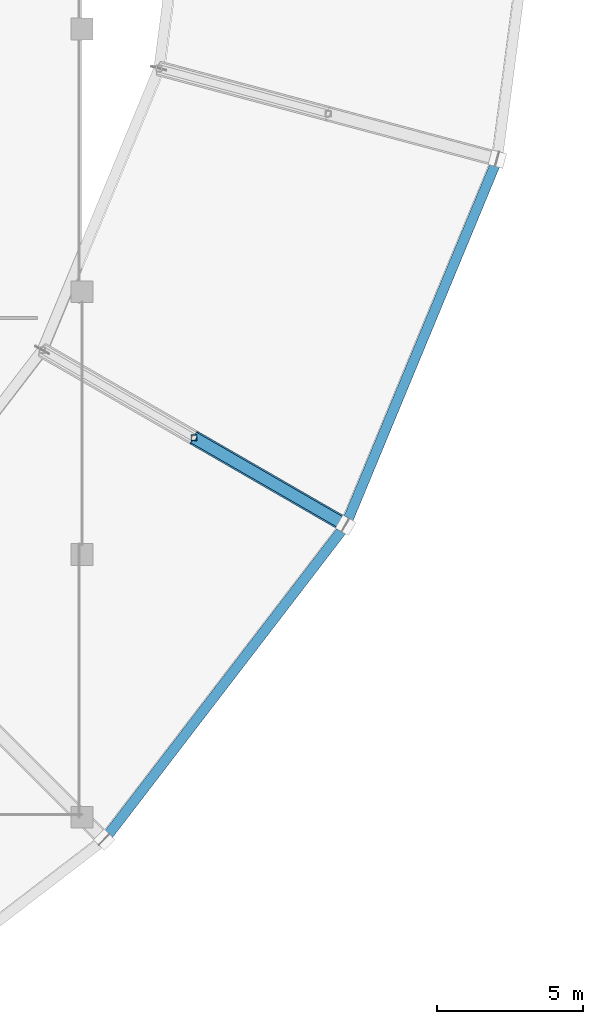
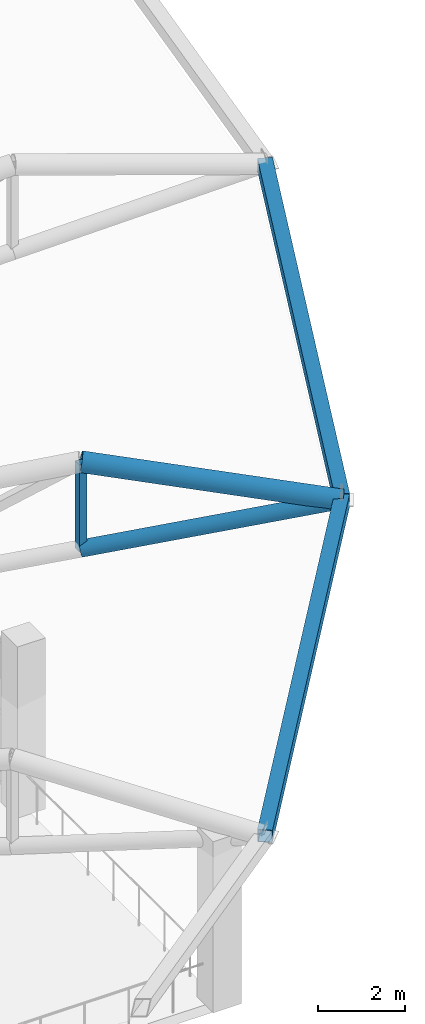
# One storey, part 88 of 167: 5 members.
"""IFC4 building model written with IfcOpenShell, lengths in metres."""

from ifc_helpers import new_model, si_unit, direction, frame, origin, origin_2d, place, context, subcontext, project, spatial, hollow_rectangle, hollow_circle, extrude, material, material_profile, profile_set, type_object, element, save


model = new_model("IFC4")

# Units and contexts
model_context = context("Model", 3, precision=1e-05, world=origin(), true_north=direction((0.0, 1.0)))
body_context = subcontext(model_context, "Body", "Model", "MODEL_VIEW")
ifc_project = project(units=[si_unit("LENGTHUNIT", "METRE"), si_unit("AREAUNIT", "SQUARE_METRE"), si_unit("VOLUMEUNIT", "CUBIC_METRE"), si_unit("PLANEANGLEUNIT", "RADIAN"), si_unit("MASSUNIT", "GRAM", prefix="KILO")], contexts=[model_context])

# Site, building, storey
site_placement = place(None, origin())
site = spatial("IfcSite", under=ifc_project, at=site_placement, CompositionType="ELEMENT")
building_placement = place(site_placement, origin())
building = spatial("IfcBuilding", under=site, at=building_placement, Name="Dornveld Trade and Exhibition Forum", CompositionType="ELEMENT")
storey_placement = place(building_placement, frame((0.0, 0.0, 16.800048828125)))
storey = spatial("IfcBuildingStorey", under=building, at=storey_placement, Name="L03", CompositionType="ELEMENT", Elevation=16.800048828125)

# Members
ifc_material_1 = material(Name="Steel S355J2", Category="steel")
ifc_material_profile_1 = material_profile(ifc_material_1, hollow_circle(Radius=0.203125, WallThickness=0.02001953125, at=origin_2d()), Name="CHS 406.4x20")
ifc_profile_set_1 = profile_set([ifc_material_profile_1], Name="Steel S355J2")
member_type_1 = type_object("IfcMemberType", Name="MEM-DISC-BC", PredefinedType="CHORD", material=ifc_profile_set_1)
member_1_placement = place(storey_placement, frame((156.837158203125, 58.0, 3.437744140625), z_axis=(0.844525303504, -0.487596998988, 0.221418559111), x_axis=(0.500007758305, 0.866020924479, 0.0)))
element("IfcMember", 1, at=member_1_placement, inside=storey, type_object=member_type_1, Name="Roof disc radial R23 conical bottom chord 4", PredefinedType="CHORD", context=body_context, shape_type="SweptSolid", body=[
    extrude(hollow_circle(Radius=0.203125, WallThickness=0.02001953125, at=origin_2d()), origin(), (0.0, 0.0, 1.0), 6.152587890625),
])
ifc_material_2 = material(Name="Steel S355J2", Category="steel")
ifc_material_profile_2 = material_profile(ifc_material_2, hollow_rectangle(XDim=0.35009765625, YDim=0.35009765625, WallThickness=0.01611328125, at=origin_2d()), Name="SHS 350x350x16")
ifc_profile_set_2 = profile_set([ifc_material_profile_2], Name="Steel S355J2")
member_type_2 = type_object("IfcMemberType", Name="MEM-DISC-RING", PredefinedType="CHORD", material=ifc_profile_set_2)
for number, where, z_axis, x_axis, name in (
    (2, (153.76953125, 44.23046875, 4.800048828125), (0.608757714995, 0.79335619014, 0.0), (-0.79335619014, 0.608757714995, 0.0), "Roof disc ring 4 chord 22"),
    (3, (162.033203125, 55.0, 4.800048828125), (0.382681118981, 0.923880490743, 0.0), (-0.923880490743, 0.382681118981, 0.0), "Roof disc ring 4 chord 23"),
):
    element("IfcMember", number, at=place(storey_placement, frame(where, z_axis=z_axis, x_axis=x_axis)), inside=storey, type_object=member_type_2, Name=name, PredefinedType="CHORD", context=body_context, shape_type="SweptSolid", body=[
        extrude(hollow_rectangle(XDim=0.35009765625, YDim=0.35009765625, WallThickness=0.01611328125, at=origin_2d()), origin(), (0.0, 0.0, 1.0), 13.57470703125),
    ])
ifc_material_3 = material(Name="Steel S355J2", Category="steel")
ifc_material_profile_3 = material_profile(ifc_material_3, hollow_rectangle(XDim=0.199951171875, YDim=0.199951171875, WallThickness=0.010009765625, at=origin_2d()), Name="SHS 200x200x10")
ifc_profile_set_3 = profile_set([ifc_material_profile_3], Name="Steel S355J2")
member_type_3 = type_object("IfcMemberType", Name="MEM-DISC-STR", PredefinedType="STRUT", material=ifc_profile_set_3)
member_2_placement = place(storey_placement, frame((156.837158203125, 58.0, 3.437744140625), z_axis=(0.0, 0.0, 1.0), x_axis=(1.0, 0.0, 0.0)))
element("IfcMember", 4, at=member_2_placement, inside=storey, type_object=member_type_3, Name="Roof disc radial R23 strut 4", PredefinedType="STRUT", context=body_context, shape_type="SweptSolid", body=[
    extrude(hollow_rectangle(XDim=0.199951171875, YDim=0.199951171875, WallThickness=0.010009765625, at=origin_2d()), origin(), (0.0, 0.0, 1.0), 2.437255859375),
])
ifc_material_4 = material(Name="Steel S355J2", Category="steel")
ifc_material_profile_4 = material_profile(ifc_material_4, hollow_circle(Radius=0.25390625, WallThickness=0.02490234375, at=origin_2d()), Name="CHS 508x25")
ifc_profile_set_4 = profile_set([ifc_material_profile_4], Name="Steel S355J2")
member_type_4 = type_object("IfcMemberType", Name="MEM-DISC-TC", PredefinedType="CHORD", material=ifc_profile_set_4)
member_3_placement = place(storey_placement, frame((156.837158203125, 58.0, 5.875), z_axis=(0.852447721385, -0.492171103715, -0.176353301567), x_axis=(0.500007758305, 0.866020924479, 0.0)))
element("IfcMember", 5, at=member_3_placement, inside=storey, type_object=member_type_4, Name="Roof disc radial R23 top chord 4", PredefinedType="CHORD", context=body_context, shape_type="SweptSolid", body=[
    extrude(hollow_circle(Radius=0.25390625, WallThickness=0.02490234375, at=origin_2d()), origin(), (0.0, 0.0, 1.0), 6.095458984375),
])

save(model, "model.ifc")
